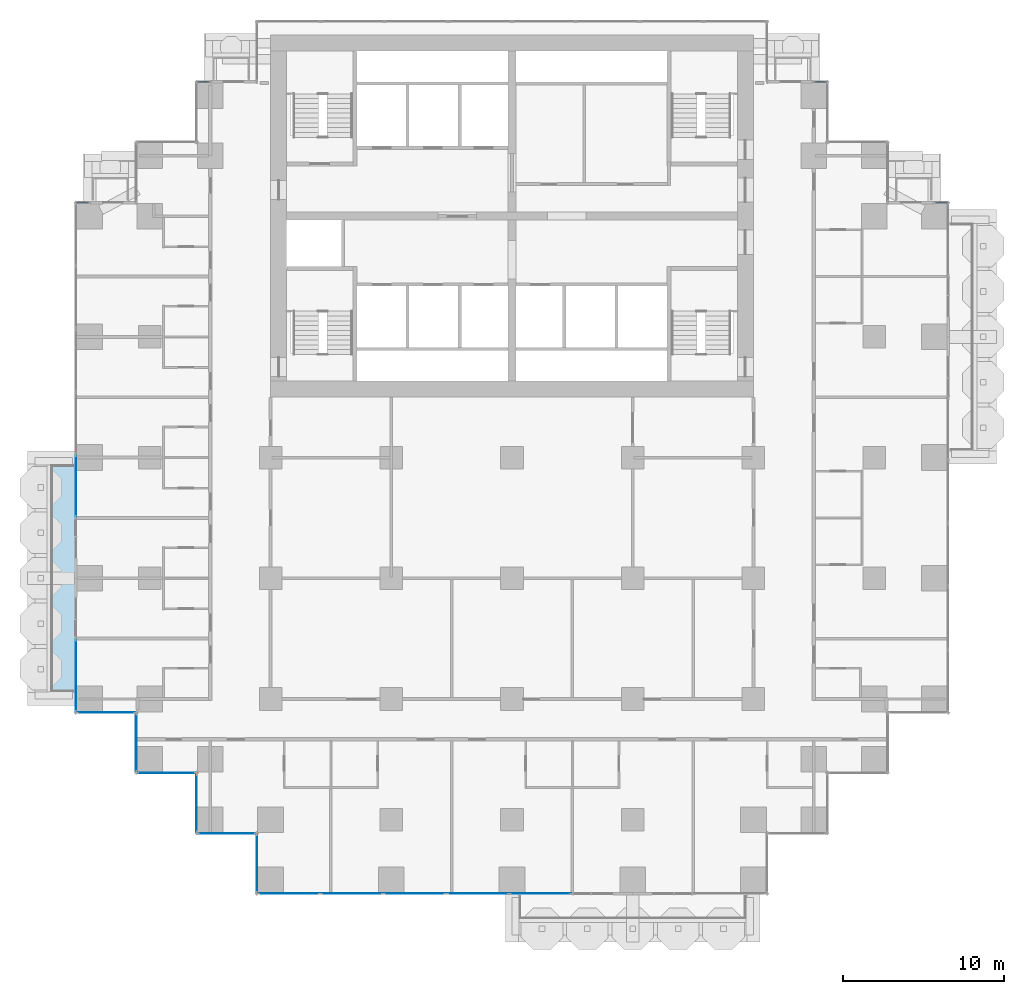
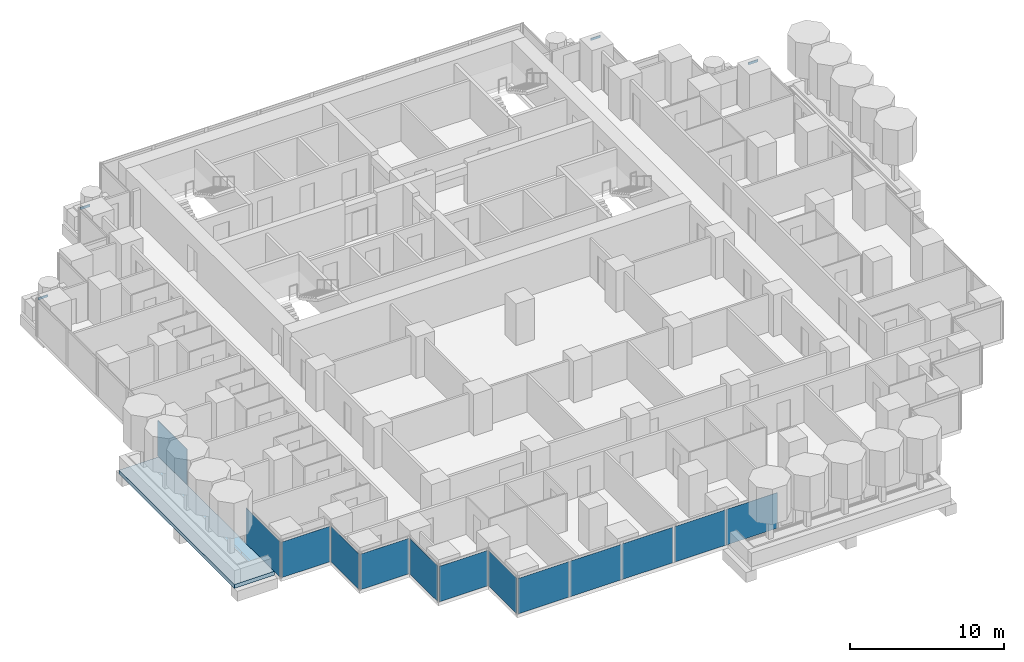
# One storey, part 6 of 18: 13 plates, 4 members, 1 slab, 14 elements without a shape of their own.
"""IFC4 building model written with IfcOpenShell, lengths in metres."""

import ifcopenshell
import ifcopenshell.guid

model = None  # the IFC model being written
_history = None  # IfcOwnerHistory: only IFC2X3 demands one
_inside = {}  # id of a spatial element -> (the spatial element, [elements in it])
_under = {}  # id of a project, library or spatial element -> (it, [spatial elements below it])
_declared = {}  # id of a project -> (the project, [libraries it declares])
_typed = {}  # id of a type object -> (the type object, [elements of that type])
_made_of = {}  # id of a material, layer set ... -> (it, [elements and type objects made of it])


def new_model(schema):
    """Start an empty IFC model of exactly this schema.

    Asked for "IFC4X3", IfcOpenShell would pick the latest addendum, in which some entities
    have other attributes; the version numbers below select the first issue.
    IFC2X3 requires an IfcOwnerHistory on every rooted entity: one is made here for all.
    """
    global model, _history
    if schema == "IFC4X3":
        model = ifcopenshell.file(schema_version=(4, 3, 0, 0))
    else:
        model = ifcopenshell.file(schema=schema)
    _inside.clear()
    _under.clear()
    _declared.clear()
    _typed.clear()
    _made_of.clear()
    _history = None
    if model.schema == "IFC2X3":
        org = make("IfcOrganization", Name="unknown")
        user = make(
            "IfcPersonAndOrganization",
            ThePerson=make("IfcPerson", FamilyName="unknown"),
            TheOrganization=org,
        )
        app = make(
            "IfcApplication",
            ApplicationDeveloper=org,
            Version="unknown",
            ApplicationFullName="unknown",
            ApplicationIdentifier="unknown",
        )
        _history = make(
            "IfcOwnerHistory",
            OwningUser=user,
            OwningApplication=app,
            ChangeAction="ADDED",
            CreationDate=0,
        )
    return model


def make(cls, **values):
    """One entity of the class cls with the attributes given. An attribute that is None is left unset."""
    return model.create_entity(
        cls, **{name: value for name, value in values.items() if value is not None}
    )


def rooted(cls, **values):
    """An entity with a GlobalId (a new one), such as an element, a storey or a relation."""
    return make(cls, GlobalId=ifcopenshell.guid.new(), OwnerHistory=_history, **values)


def si_unit(unit_type, name, prefix=None):
    """IfcSIUnit, for example si_unit("LENGTHUNIT", "METRE", prefix="MILLI")."""
    return make("IfcSIUnit", UnitType=unit_type, Prefix=prefix, Name=name)


def assignment(units):
    """IfcUnitAssignment: the units of a project."""
    return None if units is None else make("IfcUnitAssignment", Units=units)


def point(xyz):
    """IfcCartesianPoint."""
    return None if xyz is None else make("IfcCartesianPoint", Coordinates=xyz)


def direction(xyz):
    """IfcDirection."""
    return None if xyz is None else make("IfcDirection", DirectionRatios=xyz)


def frame(location, z_axis=None, x_axis=None):
    """IfcAxis2Placement3D, a coordinate frame: its origin and axes. An axis left out is left unset."""
    return make(
        "IfcAxis2Placement3D",
        Location=point(location),
        Axis=direction(z_axis),
        RefDirection=direction(x_axis),
    )


def frame_2d(location, x_axis=None):
    """IfcAxis2Placement2D, a coordinate frame in the plane: its origin and x axis."""
    return make(
        "IfcAxis2Placement2D", Location=point(location), RefDirection=direction(x_axis)
    )


def origin():
    """The frame at (0, 0, 0) with its axes left unset."""
    return frame((0.0, 0.0, 0.0))


def origin_2d():
    """The frame at (0, 0) in the plane with its x axis left unset."""
    return frame_2d((0.0, 0.0))


def place(relative_to, where):
    """IfcLocalPlacement: puts the frame where relative to a parent placement (None: the world)."""
    return make(
        "IfcLocalPlacement", PlacementRelTo=relative_to, RelativePlacement=where
    )


def context(
    kind, dimensions, precision=None, world=None, true_north=None, identifier=None
):
    """IfcGeometricRepresentationContext, for example the 3D "Model" context."""
    return make(
        "IfcGeometricRepresentationContext",
        ContextIdentifier=identifier,
        ContextType=kind,
        CoordinateSpaceDimension=dimensions,
        Precision=precision,
        WorldCoordinateSystem=world,
        TrueNorth=true_north,
    )


def subcontext(parent, identifier, kind, view, scale=None):
    """IfcGeometricRepresentationSubContext, for example "Body" below "Model"."""
    return make(
        "IfcGeometricRepresentationSubContext",
        ContextIdentifier=identifier,
        ContextType=kind,
        ParentContext=parent,
        TargetScale=scale,
        TargetView=view,
    )


def project(units=None, contexts=None):
    """IfcProject with its units and contexts."""
    return rooted(
        "IfcProject",
        Name="project",
        RepresentationContexts=contexts,
        UnitsInContext=assignment(units),
    )


def spatial(cls, under=None, at=None, **own):
    """A site, building, storey or space (cls), placed at a placement, below another one or the project."""
    s = rooted(cls, ObjectPlacement=at, **own)
    if under is not None:
        _under.setdefault(under.id(), (under, []))[1].append(s)
    return s


def polyline(points):
    """IfcPolyline through the points."""
    return make("IfcPolyline", Points=[point(p) for p in points])


def profile(cls, at=None, kind="AREA", **sizes):
    """A parametric profile (cls). Its sizes go by their IFC names, for example OverallWidth=200.0."""
    return make(cls, ProfileType=kind, Position=at, **sizes)


def rectangle(**sizes):
    """IfcRectangleProfileDef."""
    return profile("IfcRectangleProfileDef", **sizes)


def outline(outer, holes=None, kind="AREA"):
    """IfcArbitraryClosedProfileDef: a profile drawn as a closed curve; with holes, ...WithVoids."""
    if holes is None:
        return make("IfcArbitraryClosedProfileDef", ProfileType=kind, OuterCurve=outer)
    return make(
        "IfcArbitraryProfileDefWithVoids",
        ProfileType=kind,
        OuterCurve=outer,
        InnerCurves=holes,
    )


def extrude(swept, where, along, depth):
    """IfcExtrudedAreaSolid: the profile swept, set in the frame where, extruded along a direction by depth."""
    return make(
        "IfcExtrudedAreaSolid",
        SweptArea=swept,
        Position=where,
        ExtrudedDirection=direction(along),
        Depth=depth,
    )


def shape(context_of_items, identifier, shape_type, items):
    """IfcShapeRepresentation: the items that make up one representation, for example the "Body"."""
    return make(
        "IfcShapeRepresentation",
        ContextOfItems=context_of_items,
        RepresentationIdentifier=identifier,
        RepresentationType=shape_type,
        Items=items,
    )


def material(Name=None, Category=None):
    """IfcMaterial."""
    return make("IfcMaterial", Name=Name, Category=Category)


def layer(
    of_material, thickness, ventilated=None, Name=None, Category=None, Priority=None
):
    """IfcMaterialLayer: one layer of a wall or slab, of a material (None: an air gap)."""
    return make(
        "IfcMaterialLayer",
        Material=of_material,
        LayerThickness=thickness,
        IsVentilated=ventilated,
        Name=Name,
        Category=Category,
        Priority=Priority,
    )


def layer_set(layers, Name=None):
    """IfcMaterialLayerSet."""
    return make("IfcMaterialLayerSet", MaterialLayers=layers, LayerSetName=Name)


def material_profile(
    of_material, cross_section, Name=None, Category=None, Priority=None
):
    """IfcMaterialProfile: a cross section and its material."""
    return make(
        "IfcMaterialProfile",
        Name=Name,
        Material=of_material,
        Profile=cross_section,
        Priority=Priority,
        Category=Category,
    )


def profile_set(profiles, Name=None, composite=None):
    """IfcMaterialProfileSet."""
    return make(
        "IfcMaterialProfileSet",
        Name=Name,
        MaterialProfiles=profiles,
        CompositeProfile=composite,
    )


def made_of(thing, what):
    """Note that an element or type object is made of a material, layer set ...; save() writes the relation."""
    if what is not None:
        _made_of.setdefault(what.id(), (what, []))[1].append(thing)
    return thing


def type_object(cls, material=None, **own):
    """A type object (cls), such as IfcWallType, which elements share."""
    return made_of(rooted(cls, **own), material)


def element(
    cls,
    number,
    at=None,
    inside=None,
    cuts=None,
    type_object=None,
    material=None,
    context=None,
    identifier="Body",
    shape_type=None,
    held_by="IfcProductDefinitionShape",
    body=None,
    shapes=None,
    **own,
):
    """One element of the class cls, such as IfcWall. Its Tag is "e" and its number.

    at: its placement. inside: the storey or other place that contains it. cuts: it is an
    opening in that element (IfcRelVoidsElement). A single representation is given by context,
    identifier, shape_type and body (its items); several are given by shapes. held_by: the class
    of the entity that holds the representations. save() writes the other relations.
    """
    e = rooted(cls, Tag="e%d" % number, ObjectPlacement=at, **own)
    if body is not None:
        shapes = [shape(context, identifier, shape_type, body)]
    if shapes is not None:
        e.Representation = make(held_by, Representations=shapes)
    if inside is not None:
        _inside.setdefault(inside.id(), (inside, []))[1].append(e)
    if cuts is not None:
        rooted(
            "IfcRelVoidsElement", RelatingBuildingElement=cuts, RelatedOpeningElement=e
        )
    if type_object is not None:
        _typed.setdefault(type_object.id(), (type_object, []))[1].append(e)
    return made_of(e, material)


def aggregate(whole, parts):
    """IfcRelAggregates: a whole, such as a stair, and the parts it consists of."""
    return rooted("IfcRelAggregates", RelatingObject=whole, RelatedObjects=parts)


def save(model, path):
    """Write the relations noted so far, then the file.

    IfcRelAggregates (storeys below a building ...), IfcRelContainedInSpatialStructure (elements
    in a storey), IfcRelDefinesByType, IfcRelAssociatesMaterial and IfcRelDeclares: one each for
    every whole, place, type object, material and project.
    """
    for whole, parts in _under.values():
        aggregate(whole, parts)
    for where, things in _inside.values():
        rooted(
            "IfcRelContainedInSpatialStructure",
            RelatedElements=things,
            RelatingStructure=where,
        )
    for kind, things in _typed.values():
        rooted("IfcRelDefinesByType", RelatedObjects=things, RelatingType=kind)
    for what, things in _made_of.values():
        rooted("IfcRelAssociatesMaterial", RelatedObjects=things, RelatingMaterial=what)
    for by, libraries in _declared.values():
        rooted("IfcRelDeclares", RelatingContext=by, RelatedDefinitions=libraries)
    model.write(path)


model = new_model("IFC4")

# Units and contexts
model_context = context("Model", 3, precision=1e-05, world=origin(), true_north=direction((0.0, 1.0)))
body_context = subcontext(model_context, "Body", "Model", "MODEL_VIEW")
ifc_project = project(units=[si_unit("LENGTHUNIT", "METRE"), si_unit("AREAUNIT", "SQUARE_METRE"), si_unit("VOLUMEUNIT", "CUBIC_METRE"), si_unit("PLANEANGLEUNIT", "RADIAN"), si_unit("MASSUNIT", "GRAM", prefix="KILO")], contexts=[model_context])

# Site, building, storey
site_placement = place(None, origin())
site = spatial("IfcSite", under=ifc_project, at=site_placement, CompositionType="ELEMENT")
building_placement = place(site_placement, origin())
building = spatial("IfcBuilding", under=site, at=building_placement, Name="Pilkhan Gate Tower", CompositionType="ELEMENT")
storey_placement = place(building_placement, frame((0.0, 0.0, 52.699951171875)))
storey = spatial("IfcBuildingStorey", under=building, at=storey_placement, Name="L10", CompositionType="ELEMENT", Elevation=52.699951171875)

# Curtain wall, member
ifc_material_1 = material(Name="Pale anodised aluminium, clear low-iron double glazing", Category="aluminium")
curtain_wall_type = type_object("IfcCurtainWallType", Name="Hotel unitised curtain wall CW-H", PredefinedType="USERDEFINED", material=ifc_material_1)
curtain_wall_1_placement = place(storey_placement, origin())
curtain_wall_1 = element("IfcCurtainWall", 1, at=curtain_wall_1_placement, inside=storey, type_object=curtain_wall_type, Name="Hotel unitised curtain wall CW-H L10 N", ObjectType="UNITISED CURTAIN WALL", PredefinedType="USERDEFINED")
ifc_material_2 = material(Name="Pale anodised aluminium", Category="aluminium")
ifc_material_profile = material_profile(ifc_material_2, rectangle(XDim=0.06494140625, YDim=0.179931640625, at=origin_2d()), Name="Transom 180x65")
ifc_profile_set = profile_set([ifc_material_profile], Name="Pale anodised aluminium")
member_type = type_object("IfcMemberType", Name="Transom CW-H 180x65", PredefinedType="USERDEFINED", material=ifc_profile_set)
member_1_placement = place(storey_placement, frame((101.31494140625, 83.344970703125, 2.91015625), z_axis=(1.0, 0.0, 0.0), x_axis=(0.0, 1.0, 0.0)))
member_1 = element("IfcMember", 2, at=member_1_placement, type_object=member_type, Name="CW-H transom 1", ObjectType="TRANSOM", PredefinedType="USERDEFINED", context=body_context, shape_type="SweptSolid", body=[
    extrude(rectangle(XDim=0.06494140625, YDim=0.179931640625, at=origin_2d()), origin(), (0.0, 0.0, 1.0), 0.715087890625),
])
aggregate(curtain_wall_1, [member_1])

curtain_wall_2_placement = place(storey_placement, origin())
curtain_wall_2 = element("IfcCurtainWall", 3, at=curtain_wall_2_placement, inside=storey, type_object=curtain_wall_type, Name="Hotel unitised curtain wall CW-H L10 N", ObjectType="UNITISED CURTAIN WALL", PredefinedType="USERDEFINED")
member_2_placement = place(storey_placement, frame((93.81494140625, 90.844970703125, 2.91015625), z_axis=(1.0, 0.0, 0.0), x_axis=(0.0, 1.0, 0.0)))
member_2 = element("IfcMember", 4, at=member_2_placement, type_object=member_type, Name="CW-H transom 1", ObjectType="TRANSOM", PredefinedType="USERDEFINED", context=body_context, shape_type="SweptSolid", body=[
    extrude(rectangle(XDim=0.06494140625, YDim=0.179931640625, at=origin_2d()), origin(), (0.0, 0.0, 1.0), 0.715087890625),
])
aggregate(curtain_wall_2, [member_2])

curtain_wall_3_placement = place(storey_placement, origin())
curtain_wall_3 = element("IfcCurtainWall", 5, at=curtain_wall_3_placement, inside=storey, type_object=curtain_wall_type, Name="Hotel unitised curtain wall CW-H L10 N", ObjectType="UNITISED CURTAIN WALL", PredefinedType="USERDEFINED")
member_3_placement = place(storey_placement, frame((55.469970703125, 90.844970703125, 2.91015625), z_axis=(1.0, 0.0, 0.0), x_axis=(0.0, 1.0, 0.0)))
member_3 = element("IfcMember", 6, at=member_3_placement, type_object=member_type, Name="CW-H transom 1", ObjectType="TRANSOM", PredefinedType="USERDEFINED", context=body_context, shape_type="SweptSolid", body=[
    extrude(rectangle(XDim=0.06494140625, YDim=0.179931640625, at=origin_2d()), origin(), (0.0, 0.0, 1.0), 0.715087890625),
])
aggregate(curtain_wall_3, [member_3])

curtain_wall_4_placement = place(storey_placement, origin())
curtain_wall_4 = element("IfcCurtainWall", 7, at=curtain_wall_4_placement, inside=storey, type_object=curtain_wall_type, Name="Hotel unitised curtain wall CW-H L10 N", ObjectType="UNITISED CURTAIN WALL", PredefinedType="USERDEFINED")
member_4_placement = place(storey_placement, frame((47.969970703125, 83.344970703125, 2.91015625), z_axis=(1.0, 0.0, 0.0), x_axis=(0.0, 1.0, 0.0)))
member_4 = element("IfcMember", 8, at=member_4_placement, type_object=member_type, Name="CW-H transom 1", ObjectType="TRANSOM", PredefinedType="USERDEFINED", context=body_context, shape_type="SweptSolid", body=[
    extrude(rectangle(XDim=0.06494140625, YDim=0.179931640625, at=origin_2d()), origin(), (0.0, 0.0, 1.0), 0.715087890625),
])
aggregate(curtain_wall_4, [member_4])

# Slab
ifc_material_3 = material(Name="Concrete C60/75", Category="concrete")
ifc_layer_1 = layer(ifc_material_3, 0.300048828125)
ifc_layer_set_1 = layer_set([ifc_layer_1], Name="Balcony tray slab TR300")
slab_type = type_object("IfcSlabType", Name="Balcony tray slab TR300", PredefinedType="FLOOR", material=ifc_layer_set_1)
slab_placement = place(storey_placement, frame((0.0, 0.0, -0.300048828125)))
element("IfcSlab", 9, at=slab_placement, inside=storey, type_object=slab_type, Name="Balcony tray L10 W", PredefinedType="FLOOR", context=body_context, shape_type="SweptSolid", body=[
    extrude(outline(polyline([(47.89990234375, 52.5), (47.89990234375, 67.5), (44.89990234375, 67.5), (44.89990234375, 52.5), (47.89990234375, 52.5)])), origin(), (0.0, 0.0, 1.0), 0.300048828125),
])

# Curtain wall, plate
curtain_wall_5_placement = place(storey_placement, origin())
curtain_wall_5 = element("IfcCurtainWall", 10, at=curtain_wall_5_placement, inside=storey, type_object=curtain_wall_type, Name="Hotel unitised curtain wall CW-H L10 W", ObjectType="UNITISED CURTAIN WALL", PredefinedType="USERDEFINED")
ifc_material_4 = material(Name="Clear low-iron double glazing", Category="glass")
ifc_layer_2 = layer(ifc_material_4, 0.035888671875)
ifc_layer_set_2 = layer_set([ifc_layer_2], Name="Glass panel CW-H 36")
plate_type = type_object("IfcPlateType", Name="Glass panel CW-H 36", PredefinedType="CURTAIN_PANEL", material=ifc_layer_set_2)
plate_1_placement = place(storey_placement, frame((47.905029296875, 53.952392578125, 0.0), z_axis=(0.0, 0.0, 1.0), x_axis=(0.0, 1.0, 0.0)))
plate_1 = element("IfcPlate", 11, at=plate_1_placement, type_object=plate_type, Name="CW-H panel 1", PredefinedType="CURTAIN_PANEL", context=body_context, shape_type="SweptSolid", body=[
    extrude(rectangle(XDim=4.465087890625, YDim=0.035888671875, at=origin_2d()), origin(), (0.0, 0.0, 1.0), 2.820068359375),
])
aggregate(curtain_wall_5, [plate_1])

curtain_wall_6_placement = place(storey_placement, origin())
curtain_wall_6 = element("IfcCurtainWall", 12, at=curtain_wall_6_placement, inside=storey, type_object=curtain_wall_type, Name="Hotel unitised curtain wall CW-H L10 W", ObjectType="UNITISED CURTAIN WALL", PredefinedType="USERDEFINED")
plate_2_placement = place(storey_placement, frame((47.905029296875, 65.725830078125, 0.0), z_axis=(0.0, 0.0, 1.0), x_axis=(0.0, 1.0, 0.0)))
plate_2 = element("IfcPlate", 13, at=plate_2_placement, type_object=plate_type, Name="CW-H panel 1", PredefinedType="CURTAIN_PANEL", context=body_context, shape_type="SweptSolid", body=[
    extrude(rectangle(XDim=3.821533203125, YDim=0.035888671875, at=origin_2d()), origin(), (0.0, 0.0, 1.0), 2.820068359375),
])
aggregate(curtain_wall_6, [plate_2])

curtain_wall_7_placement = place(storey_placement, origin())
curtain_wall_7 = element("IfcCurtainWall", 14, at=curtain_wall_7_placement, inside=storey, type_object=curtain_wall_type, Name="Hotel unitised curtain wall CW-H L10 S", ObjectType="UNITISED CURTAIN WALL", PredefinedType="USERDEFINED")
plate_3_placement = place(storey_placement, frame((49.780029296875, 51.655029296875, 0.0), z_axis=(0.0, 0.0, 1.0), x_axis=(1.0, 0.0, 0.0)))
plate_3 = element("IfcPlate", 15, at=plate_3_placement, type_object=plate_type, Name="CW-H panel 1", PredefinedType="CURTAIN_PANEL", context=body_context, shape_type="SweptSolid", body=[
    extrude(rectangle(XDim=3.6201171875, YDim=0.035888671875, at=origin_2d()), origin(), (0.0, 0.0, 1.0), 2.820068359375),
])
aggregate(curtain_wall_7, [plate_3])

curtain_wall_8_placement = place(storey_placement, origin())
curtain_wall_8 = element("IfcCurtainWall", 16, at=curtain_wall_8_placement, inside=storey, type_object=curtain_wall_type, Name="Hotel unitised curtain wall CW-H L10 W", ObjectType="UNITISED CURTAIN WALL", PredefinedType="USERDEFINED")
plate_4_placement = place(storey_placement, frame((51.655029296875, 49.780029296875, 0.0), z_axis=(0.0, 0.0, 1.0), x_axis=(0.0, 1.0, 0.0)))
plate_4 = element("IfcPlate", 17, at=plate_4_placement, type_object=plate_type, Name="CW-H panel 1", PredefinedType="CURTAIN_PANEL", context=body_context, shape_type="SweptSolid", body=[
    extrude(rectangle(XDim=3.6201171875, YDim=0.035888671875, at=origin_2d()), origin(), (0.0, 0.0, 1.0), 2.820068359375),
])
aggregate(curtain_wall_8, [plate_4])

curtain_wall_9_placement = place(storey_placement, origin())
curtain_wall_9 = element("IfcCurtainWall", 18, at=curtain_wall_9_placement, inside=storey, type_object=curtain_wall_type, Name="Hotel unitised curtain wall CW-H L10 S", ObjectType="UNITISED CURTAIN WALL", PredefinedType="USERDEFINED")
plate_5_placement = place(storey_placement, frame((53.530029296875, 47.905029296875, 0.0), z_axis=(0.0, 0.0, 1.0), x_axis=(1.0, 0.0, 0.0)))
plate_5 = element("IfcPlate", 19, at=plate_5_placement, type_object=plate_type, Name="CW-H panel 1", PredefinedType="CURTAIN_PANEL", context=body_context, shape_type="SweptSolid", body=[
    extrude(rectangle(XDim=3.6201171875, YDim=0.035888671875, at=origin_2d()), origin(), (0.0, 0.0, 1.0), 2.820068359375),
])
aggregate(curtain_wall_9, [plate_5])

curtain_wall_10_placement = place(storey_placement, origin())
curtain_wall_10 = element("IfcCurtainWall", 20, at=curtain_wall_10_placement, inside=storey, type_object=curtain_wall_type, Name="Hotel unitised curtain wall CW-H L10 W", ObjectType="UNITISED CURTAIN WALL", PredefinedType="USERDEFINED")
plate_6_placement = place(storey_placement, frame((55.405029296875, 46.030029296875, 0.0), z_axis=(0.0, 0.0, 1.0), x_axis=(0.0, 1.0, 0.0)))
plate_6 = element("IfcPlate", 21, at=plate_6_placement, type_object=plate_type, Name="CW-H panel 1", PredefinedType="CURTAIN_PANEL", context=body_context, shape_type="SweptSolid", body=[
    extrude(rectangle(XDim=3.6201171875, YDim=0.035888671875, at=origin_2d()), origin(), (0.0, 0.0, 1.0), 2.820068359375),
])
aggregate(curtain_wall_10, [plate_6])

curtain_wall_11_placement = place(storey_placement, origin())
curtain_wall_11 = element("IfcCurtainWall", 22, at=curtain_wall_11_placement, inside=storey, type_object=curtain_wall_type, Name="Hotel unitised curtain wall CW-H L10 S", ObjectType="UNITISED CURTAIN WALL", PredefinedType="USERDEFINED")
plate_7_placement = place(storey_placement, frame((57.280029296875, 44.155029296875, 0.0), z_axis=(0.0, 0.0, 1.0), x_axis=(1.0, 0.0, 0.0)))
plate_7 = element("IfcPlate", 23, at=plate_7_placement, type_object=plate_type, Name="CW-H panel 1", PredefinedType="CURTAIN_PANEL", context=body_context, shape_type="SweptSolid", body=[
    extrude(rectangle(XDim=3.6201171875, YDim=0.035888671875, at=origin_2d()), origin(), (0.0, 0.0, 1.0), 2.820068359375),
])
aggregate(curtain_wall_11, [plate_7])

curtain_wall_12_placement = place(storey_placement, origin())
curtain_wall_12 = element("IfcCurtainWall", 24, at=curtain_wall_12_placement, inside=storey, type_object=curtain_wall_type, Name="Hotel unitised curtain wall CW-H L10 W", ObjectType="UNITISED CURTAIN WALL", PredefinedType="USERDEFINED")
plate_8_placement = place(storey_placement, frame((59.155029296875, 42.280029296875, 0.0), z_axis=(0.0, 0.0, 1.0), x_axis=(0.0, 1.0, 0.0)))
plate_8 = element("IfcPlate", 25, at=plate_8_placement, type_object=plate_type, Name="CW-H panel 1", PredefinedType="CURTAIN_PANEL", context=body_context, shape_type="SweptSolid", body=[
    extrude(rectangle(XDim=3.6201171875, YDim=0.035888671875, at=origin_2d()), origin(), (0.0, 0.0, 1.0), 2.820068359375),
])
aggregate(curtain_wall_12, [plate_8])

# Curtain wall, plates
curtain_wall_13_placement = place(storey_placement, origin())
curtain_wall_13 = element("IfcCurtainWall", 26, at=curtain_wall_13_placement, inside=storey, type_object=curtain_wall_type, Name="Hotel unitised curtain wall CW-H L10 S", ObjectType="UNITISED CURTAIN WALL", PredefinedType="USERDEFINED")
plate_9_placement = place(storey_placement, frame((61.130859375, 40.405029296875, 0.0), z_axis=(0.0, 0.0, 1.0), x_axis=(1.0, 0.0, 0.0)))
plate_9 = element("IfcPlate", 27, at=plate_9_placement, type_object=plate_type, Name="CW-H panel 1", PredefinedType="CURTAIN_PANEL", context=body_context, shape_type="SweptSolid", body=[
    extrude(rectangle(XDim=3.821533203125, YDim=0.035888671875, at=origin_2d()), origin(), (0.0, 0.0, 1.0), 2.820068359375),
])
plate_10_placement = place(storey_placement, frame((65.033447265625, 40.405029296875, 0.0), z_axis=(0.0, 0.0, 1.0), x_axis=(1.0, 0.0, 0.0)))
plate_10 = element("IfcPlate", 28, at=plate_10_placement, type_object=plate_type, Name="CW-H panel 2", PredefinedType="CURTAIN_PANEL", context=body_context, shape_type="SweptSolid", body=[
    extrude(rectangle(XDim=3.85400390625, YDim=0.035888671875, at=origin_2d()), origin(), (0.0, 0.0, 1.0), 2.820068359375),
])
plate_11_placement = place(storey_placement, frame((68.936279296875, 40.405029296875, 0.0), z_axis=(0.0, 0.0, 1.0), x_axis=(1.0, 0.0, 0.0)))
plate_11 = element("IfcPlate", 29, at=plate_11_placement, type_object=plate_type, Name="CW-H panel 3", PredefinedType="CURTAIN_PANEL", context=body_context, shape_type="SweptSolid", body=[
    extrude(rectangle(XDim=3.821533203125, YDim=0.035888671875, at=origin_2d()), origin(), (0.0, 0.0, 1.0), 2.820068359375),
])
aggregate(curtain_wall_13, [plate_9, plate_10, plate_11])

curtain_wall_14_placement = place(storey_placement, origin())
curtain_wall_14 = element("IfcCurtainWall", 30, at=curtain_wall_14_placement, inside=storey, type_object=curtain_wall_type, Name="Hotel unitised curtain wall CW-H L10 S", ObjectType="UNITISED CURTAIN WALL", PredefinedType="USERDEFINED")
plate_12_placement = place(storey_placement, frame((72.8876953125, 40.405029296875, 0.0), z_axis=(0.0, 0.0, 1.0), x_axis=(1.0, 0.0, 0.0)))
plate_12 = element("IfcPlate", 31, at=plate_12_placement, type_object=plate_type, Name="CW-H panel 1", PredefinedType="CURTAIN_PANEL", context=body_context, shape_type="SweptSolid", body=[
    extrude(rectangle(XDim=3.821533203125, YDim=0.035888671875, at=origin_2d()), origin(), (0.0, 0.0, 1.0), 2.820068359375),
])
plate_13_placement = place(storey_placement, frame((76.774169921875, 40.405029296875, 0.0), z_axis=(0.0, 0.0, 1.0), x_axis=(1.0, 0.0, 0.0)))
plate_13 = element("IfcPlate", 32, at=plate_13_placement, type_object=plate_type, Name="CW-H panel 2", PredefinedType="CURTAIN_PANEL", context=body_context, shape_type="SweptSolid", body=[
    extrude(rectangle(XDim=3.821533203125, YDim=0.035888671875, at=origin_2d()), origin(), (0.0, 0.0, 1.0), 2.820068359375),
])
aggregate(curtain_wall_14, [plate_12, plate_13])

save(model, "model.ifc")
